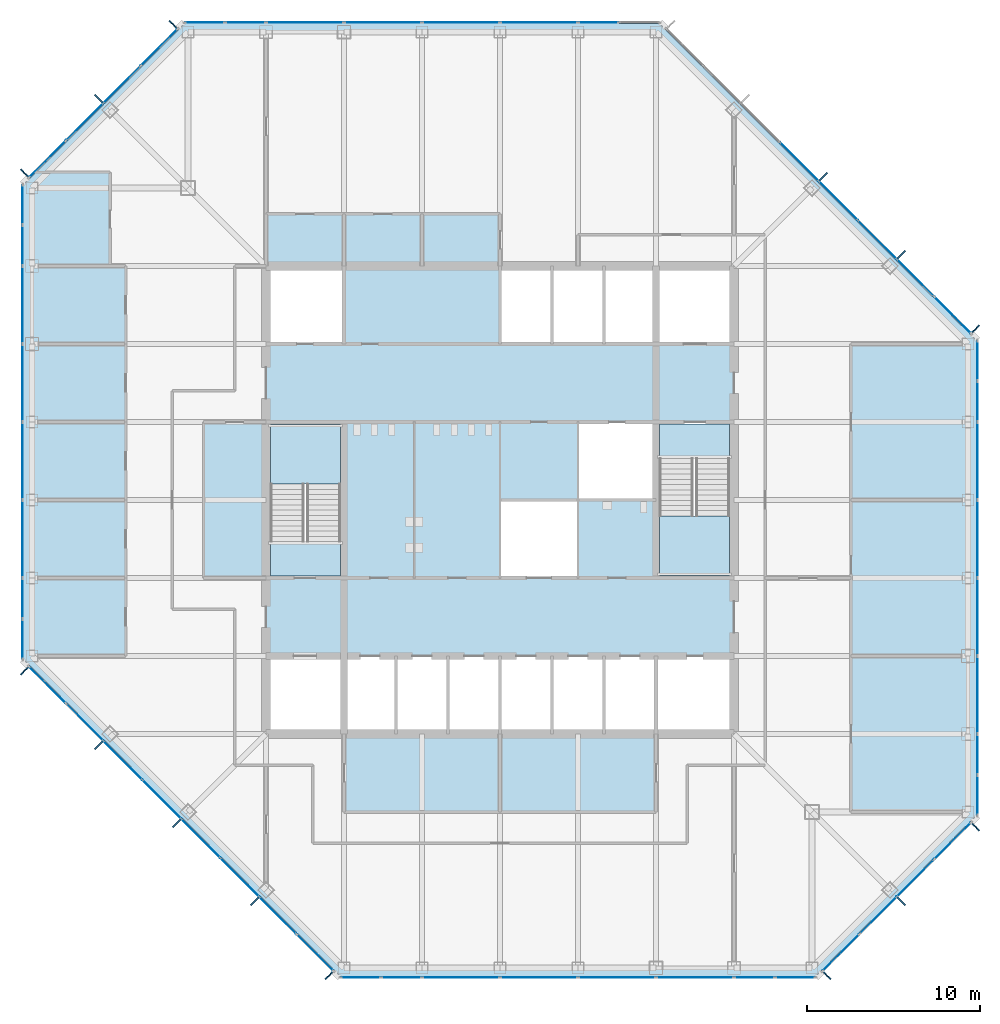
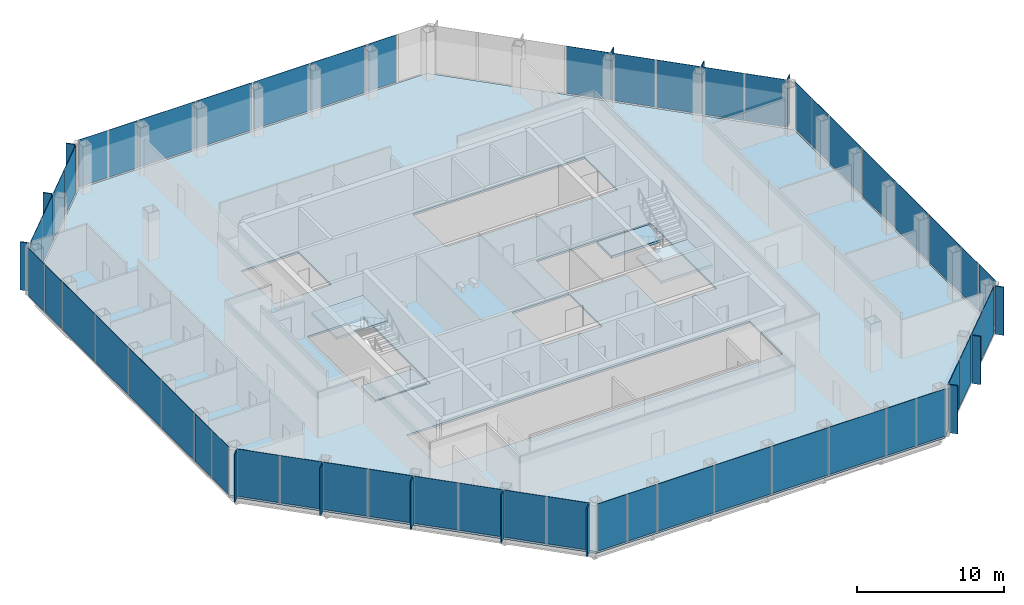
# One storey, part 7 of 13: 66 plates, 5 slabs, 10 elements without a shape of their own.
"""IFC4 building model written with IfcOpenShell, lengths in metres."""

from ifc_helpers import new_model, si_unit, direction, frame, origin, origin_2d, place, context, subcontext, project, spatial, polyline, rectangle, outline, extrude, material, layer, layer_set, type_object, element, aggregate, save


model = new_model("IFC4")

# Units and contexts
model_context = context("Model", 3, precision=1e-05, world=origin(), true_north=direction((0.0, 1.0)))
body_context = subcontext(model_context, "Body", "Model", "MODEL_VIEW")
ifc_project = project(units=[si_unit("LENGTHUNIT", "METRE"), si_unit("AREAUNIT", "SQUARE_METRE"), si_unit("VOLUMEUNIT", "CUBIC_METRE"), si_unit("PLANEANGLEUNIT", "RADIAN"), si_unit("MASSUNIT", "GRAM", prefix="KILO")], contexts=[model_context])

# Site, building, storey
site_placement = place(None, origin())
site = spatial("IfcSite", under=ifc_project, at=site_placement, CompositionType="ELEMENT")
building_placement = place(site_placement, origin())
building = spatial("IfcBuilding", under=site, at=building_placement, Name="Corais Broadcast Tower", CompositionType="ELEMENT")
storey_placement = place(building_placement, frame((0.0, 0.0, 155.60009765625)))
storey = spatial("IfcBuildingStorey", under=building, at=storey_placement, Name="L35", CompositionType="ELEMENT", Elevation=155.60009765625)

# Slab
ifc_material_1 = material(Name="Concrete C30/37", Category="concrete")
ifc_layer_1 = layer(ifc_material_1, 0.159912109375)
ifc_layer_set_1 = layer_set([ifc_layer_1], Name="Concrete C30/37")
slab_type_1 = type_object("IfcSlabType", Name="Composite floor slab 160", PredefinedType="FLOOR", material=ifc_layer_set_1)
slab_1_placement = place(storey_placement, frame((0.0, 0.0, -0.16015625)))
element("IfcSlab", 1, at=slab_1_placement, inside=storey, type_object=slab_type_1, Name="S160 floor slab L35", PredefinedType="FLOOR", context=body_context, shape_type="SweptSolid", body=[
    extrude(outline(polyline([(17.80126953125, -0.47998046875), (-0.47998046875, 17.80126953125), (-0.47998046875, 45.19873046875), (8.80126953125, 54.47998046875), (36.19873046875, 54.47998046875), (54.47998046875, 36.19873046875), (54.47998046875, 8.80126953125), (45.19873046875, -0.47998046875), (17.80126953125, -0.47998046875)]), holes=[polyline([(13.5, 18.0), (40.5, 18.0), (40.5, 13.5), (13.5, 13.5), (13.5, 18.0)]), polyline([(18.0, 22.5), (13.5, 22.5), (13.5, 31.5), (18.0, 31.5), (18.0, 22.5)]), polyline([(18.0, 36.0), (13.5, 36.0), (13.5, 40.5), (18.0, 40.5), (18.0, 36.0)]), polyline([(31.5, 22.5), (27.0, 22.5), (27.0, 27.0), (31.4951171875, 27.0), (31.4951171875, 27.0048828125), (31.5, 27.0048828125), (31.5, 31.5), (40.5, 31.5), (40.5, 22.5), (36.0, 22.5), (36.0, 27.0), (31.5048828125, 27.0), (31.5048828125, 26.9951171875), (31.5, 26.9951171875), (31.5, 22.5)]), polyline([(27.0, 40.5), (40.5, 40.5), (40.5, 36.0), (27.0, 36.0), (27.0, 40.5)])]), origin(), (0.0, 0.0, 1.0), 0.16015625),
])

# Curtain wall, plates
ifc_material_2 = material(Name="Aluminium and glass", Category="aluminium")
curtain_wall_type = type_object("IfcCurtainWallType", Name="Unitised fritted curtain wall CW2", PredefinedType="NOTDEFINED", material=ifc_material_2)
curtain_wall_1_placement = place(storey_placement, origin())
curtain_wall_1 = element("IfcCurtainWall", 2, at=curtain_wall_1_placement, inside=storey, type_object=curtain_wall_type, Name="CW2 curtain wall L35 1", PredefinedType="NOTDEFINED")
ifc_material_3 = material(Name="Ceramic-fritted laminated glass", Category="glass")
ifc_layer_2 = layer(ifc_material_3, 0.028076171875)
ifc_layer_set_2 = layer_set([ifc_layer_2], Name="Ceramic-fritted laminated glass")
plate_type_1 = type_object("IfcPlateType", Name="Fritted glass panel CW2", PredefinedType="CURTAIN_PANEL", material=ifc_layer_set_2)
plate_1_placement = place(storey_placement, frame((16.330322265625, 0.891845703125, 0.06494140625), z_axis=(0.0, 0.0, 1.0), x_axis=(-0.707106781187, 0.707106781187, 0.0)))
plate_1 = element("IfcPlate", 3, at=plate_1_placement, type_object=plate_type_1, Name="CW2 panel 1", PredefinedType="CURTAIN_PANEL", context=body_context, shape_type="SweptSolid", body=[
    extrude(rectangle(XDim=2.9482421875, YDim=0.028076171875, at=origin_2d()), origin(), (0.0, 0.0, 1.0), 3.93505859375),
])
plate_2_placement = place(storey_placement, frame((11.986083984375, 5.236083984375, 0.06494140625), z_axis=(0.0, 0.0, 1.0), x_axis=(-0.707106781187, 0.707106781187, 0.0)))
plate_2 = element("IfcPlate", 4, at=plate_2_placement, type_object=plate_type_1, Name="CW2 panel 3", PredefinedType="CURTAIN_PANEL", context=body_context, shape_type="SweptSolid", body=[
    extrude(rectangle(XDim=3.116943359375, YDim=0.028076171875, at=origin_2d()), origin(), (0.0, 0.0, 1.0), 3.93505859375),
])
plate_3_placement = place(storey_placement, frame((7.486083984375, 9.736083984375, 0.06494140625), z_axis=(0.0, 0.0, 1.0), x_axis=(-0.707106781187, 0.707106781187, 0.0)))
plate_3 = element("IfcPlate", 5, at=plate_3_placement, type_object=plate_type_1, Name="CW2 panel 5", PredefinedType="CURTAIN_PANEL", context=body_context, shape_type="SweptSolid", body=[
    extrude(rectangle(XDim=3.116943359375, YDim=0.028076171875, at=origin_2d()), origin(), (0.0, 0.0, 1.0), 3.93505859375),
])
plate_4_placement = place(storey_placement, frame((3.0341796875, 14.18798828125, 0.06494140625), z_axis=(0.0, 0.0, 1.0), x_axis=(-0.707106781187, 0.707106781187, 0.0)))
plate_4 = element("IfcPlate", 6, at=plate_4_placement, type_object=plate_type_1, Name="CW2 panel 7", PredefinedType="CURTAIN_PANEL", context=body_context, shape_type="SweptSolid", body=[
    extrude(rectangle(XDim=2.98095703125, YDim=0.028076171875, at=origin_2d()), origin(), (0.0, 0.0, 1.0), 3.93505859375),
])

curtain_wall_2_placement = place(storey_placement, origin())
curtain_wall_2 = element("IfcCurtainWall", 7, at=curtain_wall_2_placement, inside=storey, type_object=curtain_wall_type, Name="CW2 curtain wall L35 2", PredefinedType="NOTDEFINED")
plate_5_placement = place(storey_placement, frame((-0.550048828125, 18.970458984375, 0.06494140625), z_axis=(0.0, 0.0, 1.0), x_axis=(0.0, 1.0, 0.0)))
plate_5 = element("IfcPlate", 8, at=plate_5_placement, type_object=plate_type_1, Name="CW2 panel 1", PredefinedType="CURTAIN_PANEL", context=body_context, shape_type="SweptSolid", body=[
    extrude(rectangle(XDim=2.266357421875, YDim=0.028076171875, at=origin_2d()), origin(), (0.0, 0.0, 1.0), 3.93505859375),
])
plate_6_placement = place(storey_placement, frame((-0.550048828125, 24.75, 0.06494140625), z_axis=(0.0, 0.0, 1.0), x_axis=(0.0, 1.0, 0.0)))
plate_6 = element("IfcPlate", 9, at=plate_6_placement, type_object=plate_type_1, Name="CW2 panel 3", PredefinedType="CURTAIN_PANEL", context=body_context, shape_type="SweptSolid", body=[
    extrude(rectangle(XDim=4.43505859375, YDim=0.028076171875, at=origin_2d()), origin(), (0.0, 0.0, 1.0), 3.93505859375),
])
plate_7_placement = place(storey_placement, frame((-0.550048828125, 33.75, 0.06494140625), z_axis=(0.0, 0.0, 1.0), x_axis=(0.0, 1.0, 0.0)))
plate_7 = element("IfcPlate", 10, at=plate_7_placement, type_object=plate_type_1, Name="CW2 panel 5", PredefinedType="CURTAIN_PANEL", context=body_context, shape_type="SweptSolid", body=[
    extrude(rectangle(XDim=4.43505859375, YDim=0.028076171875, at=origin_2d()), origin(), (0.0, 0.0, 1.0), 3.93505859375),
])
plate_8_placement = place(storey_placement, frame((-0.550048828125, 41.681884765625, 0.06494140625), z_axis=(0.0, 0.0, 1.0), x_axis=(0.0, 1.0, 0.0)))
plate_8 = element("IfcPlate", 11, at=plate_8_placement, type_object=plate_type_1, Name="CW2 panel 7", PredefinedType="CURTAIN_PANEL", context=body_context, shape_type="SweptSolid", body=[
    extrude(rectangle(XDim=2.298828125, YDim=0.028076171875, at=origin_2d()), origin(), (0.0, 0.0, 1.0), 3.93505859375),
])

curtain_wall_3_placement = place(storey_placement, origin())
curtain_wall_3 = element("IfcCurtainWall", 12, at=curtain_wall_3_placement, inside=storey, type_object=curtain_wall_type, Name="CW2 curtain wall L35 3", PredefinedType="NOTDEFINED")
plate_9_placement = place(storey_placement, frame((0.891845703125, 46.669677734375, 0.06494140625), z_axis=(0.0, 0.0, 1.0), x_axis=(0.707106781187, 0.707106781187, 0.0)))
plate_9 = element("IfcPlate", 13, at=plate_9_placement, type_object=plate_type_1, Name="CW2 panel 1", PredefinedType="CURTAIN_PANEL", context=body_context, shape_type="SweptSolid", body=[
    extrude(rectangle(XDim=2.9482421875, YDim=0.028076171875, at=origin_2d()), origin(), (0.0, 0.0, 1.0), 3.93505859375),
])
plate_10_placement = place(storey_placement, frame((5.18798828125, 50.9658203125, 0.06494140625), z_axis=(0.0, 0.0, 1.0), x_axis=(0.707106781187, 0.707106781187, 0.0)))
plate_10 = element("IfcPlate", 14, at=plate_10_placement, type_object=plate_type_1, Name="CW2 panel 3", PredefinedType="CURTAIN_PANEL", context=body_context, shape_type="SweptSolid", body=[
    extrude(rectangle(XDim=2.98095703125, YDim=0.028076171875, at=origin_2d()), origin(), (0.0, 0.0, 1.0), 3.93505859375),
])

curtain_wall_4_placement = place(storey_placement, origin())
curtain_wall_4 = element("IfcCurtainWall", 15, at=curtain_wall_4_placement, inside=storey, type_object=curtain_wall_type, Name="CW2 curtain wall L35 4", PredefinedType="NOTDEFINED")
plate_11_placement = place(storey_placement, frame((9.970458984375, 54.550048828125, 0.06494140625), z_axis=(0.0, 0.0, 1.0), x_axis=(1.0, 0.0, 0.0)))
plate_11 = element("IfcPlate", 16, at=plate_11_placement, type_object=plate_type_1, Name="CW2 panel 1", PredefinedType="CURTAIN_PANEL", context=body_context, shape_type="SweptSolid", body=[
    extrude(rectangle(XDim=2.266357421875, YDim=0.028076171875, at=origin_2d()), origin(), (0.0, 0.0, 1.0), 3.93505859375),
])
plate_12_placement = place(storey_placement, frame((15.75, 54.550048828125, 0.06494140625), z_axis=(0.0, 0.0, 1.0), x_axis=(1.0, 0.0, 0.0)))
plate_12 = element("IfcPlate", 17, at=plate_12_placement, type_object=plate_type_1, Name="CW2 panel 3", PredefinedType="CURTAIN_PANEL", context=body_context, shape_type="SweptSolid", body=[
    extrude(rectangle(XDim=4.43505859375, YDim=0.028076171875, at=origin_2d()), origin(), (0.0, 0.0, 1.0), 3.93505859375),
])
plate_13_placement = place(storey_placement, frame((24.75, 54.550048828125, 0.06494140625), z_axis=(0.0, 0.0, 1.0), x_axis=(1.0, 0.0, 0.0)))
plate_13 = element("IfcPlate", 18, at=plate_13_placement, type_object=plate_type_1, Name="CW2 panel 5", PredefinedType="CURTAIN_PANEL", context=body_context, shape_type="SweptSolid", body=[
    extrude(rectangle(XDim=4.43505859375, YDim=0.028076171875, at=origin_2d()), origin(), (0.0, 0.0, 1.0), 3.93505859375),
])
plate_14_placement = place(storey_placement, frame((32.681884765625, 54.550048828125, 0.06494140625), z_axis=(0.0, 0.0, 1.0), x_axis=(1.0, 0.0, 0.0)))
plate_14 = element("IfcPlate", 19, at=plate_14_placement, type_object=plate_type_1, Name="CW2 panel 7", PredefinedType="CURTAIN_PANEL", context=body_context, shape_type="SweptSolid", body=[
    extrude(rectangle(XDim=2.298828125, YDim=0.028076171875, at=origin_2d()), origin(), (0.0, 0.0, 1.0), 3.93505859375),
])

curtain_wall_5_placement = place(storey_placement, origin())
curtain_wall_5 = element("IfcCurtainWall", 20, at=curtain_wall_5_placement, inside=storey, type_object=curtain_wall_type, Name="CW2 curtain wall L35 5", PredefinedType="NOTDEFINED")
plate_15_placement = place(storey_placement, frame((46.513916015625, 44.263916015625, 0.06494140625), z_axis=(0.0, 0.0, 1.0), x_axis=(0.707106781187, -0.707106781187, 0.0)))
plate_15 = element("IfcPlate", 21, at=plate_15_placement, type_object=plate_type_1, Name="CW2 panel 5", PredefinedType="CURTAIN_PANEL", context=body_context, shape_type="SweptSolid", body=[
    extrude(rectangle(XDim=3.116943359375, YDim=0.028076171875, at=origin_2d()), origin(), (0.0, 0.0, 1.0), 3.93505859375),
])
plate_16_placement = place(storey_placement, frame((50.9658203125, 39.81201171875, 0.06494140625), z_axis=(0.0, 0.0, 1.0), x_axis=(0.707106781187, -0.707106781187, 0.0)))
plate_16 = element("IfcPlate", 22, at=plate_16_placement, type_object=plate_type_1, Name="CW2 panel 7", PredefinedType="CURTAIN_PANEL", context=body_context, shape_type="SweptSolid", body=[
    extrude(rectangle(XDim=2.98095703125, YDim=0.028076171875, at=origin_2d()), origin(), (0.0, 0.0, 1.0), 3.93505859375),
])

curtain_wall_6_placement = place(storey_placement, origin())
curtain_wall_6 = element("IfcCurtainWall", 23, at=curtain_wall_6_placement, inside=storey, type_object=curtain_wall_type, Name="CW2 curtain wall L35 6", PredefinedType="NOTDEFINED")
plate_17_placement = place(storey_placement, frame((54.550048828125, 35.029541015625, 0.06494140625), z_axis=(0.0, 0.0, 1.0), x_axis=(0.0, -1.0, 0.0)))
plate_17 = element("IfcPlate", 24, at=plate_17_placement, type_object=plate_type_1, Name="CW2 panel 1", PredefinedType="CURTAIN_PANEL", context=body_context, shape_type="SweptSolid", body=[
    extrude(rectangle(XDim=2.266357421875, YDim=0.028076171875, at=origin_2d()), origin(), (0.0, 0.0, 1.0), 3.93505859375),
])
plate_18_placement = place(storey_placement, frame((54.550048828125, 29.25, 0.06494140625), z_axis=(0.0, 0.0, 1.0), x_axis=(0.0, -1.0, 0.0)))
plate_18 = element("IfcPlate", 25, at=plate_18_placement, type_object=plate_type_1, Name="CW2 panel 3", PredefinedType="CURTAIN_PANEL", context=body_context, shape_type="SweptSolid", body=[
    extrude(rectangle(XDim=4.43505859375, YDim=0.028076171875, at=origin_2d()), origin(), (0.0, 0.0, 1.0), 3.93505859375),
])
plate_19_placement = place(storey_placement, frame((54.550048828125, 20.25, 0.06494140625), z_axis=(0.0, 0.0, 1.0), x_axis=(0.0, -1.0, 0.0)))
plate_19 = element("IfcPlate", 26, at=plate_19_placement, type_object=plate_type_1, Name="CW2 panel 5", PredefinedType="CURTAIN_PANEL", context=body_context, shape_type="SweptSolid", body=[
    extrude(rectangle(XDim=4.43505859375, YDim=0.028076171875, at=origin_2d()), origin(), (0.0, 0.0, 1.0), 3.93505859375),
])
plate_20_placement = place(storey_placement, frame((54.550048828125, 12.318115234375, 0.06494140625), z_axis=(0.0, 0.0, 1.0), x_axis=(0.0, -1.0, 0.0)))
plate_20 = element("IfcPlate", 27, at=plate_20_placement, type_object=plate_type_1, Name="CW2 panel 7", PredefinedType="CURTAIN_PANEL", context=body_context, shape_type="SweptSolid", body=[
    extrude(rectangle(XDim=2.298828125, YDim=0.028076171875, at=origin_2d()), origin(), (0.0, 0.0, 1.0), 3.93505859375),
])

curtain_wall_7_placement = place(storey_placement, origin())
curtain_wall_7 = element("IfcCurtainWall", 28, at=curtain_wall_7_placement, inside=storey, type_object=curtain_wall_type, Name="CW2 curtain wall L35 7", PredefinedType="NOTDEFINED")
plate_21_placement = place(storey_placement, frame((53.108154296875, 7.330322265625, 0.06494140625), z_axis=(0.0, 0.0, 1.0), x_axis=(-0.707106781187, -0.707106781187, 0.0)))
plate_21 = element("IfcPlate", 29, at=plate_21_placement, type_object=plate_type_1, Name="CW2 panel 1", PredefinedType="CURTAIN_PANEL", context=body_context, shape_type="SweptSolid", body=[
    extrude(rectangle(XDim=2.9482421875, YDim=0.028076171875, at=origin_2d()), origin(), (0.0, 0.0, 1.0), 3.93505859375),
])
plate_22_placement = place(storey_placement, frame((48.81201171875, 3.0341796875, 0.06494140625), z_axis=(0.0, 0.0, 1.0), x_axis=(-0.707106781187, -0.707106781187, 0.0)))
plate_22 = element("IfcPlate", 30, at=plate_22_placement, type_object=plate_type_1, Name="CW2 panel 3", PredefinedType="CURTAIN_PANEL", context=body_context, shape_type="SweptSolid", body=[
    extrude(rectangle(XDim=2.98095703125, YDim=0.028076171875, at=origin_2d()), origin(), (0.0, 0.0, 1.0), 3.93505859375),
])

curtain_wall_8_placement = place(storey_placement, origin())
curtain_wall_8 = element("IfcCurtainWall", 31, at=curtain_wall_8_placement, inside=storey, type_object=curtain_wall_type, Name="CW2 curtain wall L35 8", PredefinedType="NOTDEFINED")
plate_23_placement = place(storey_placement, frame((44.029541015625, -0.550048828125, 0.06494140625), z_axis=(0.0, 0.0, 1.0), x_axis=(-1.0, 0.0, 0.0)))
plate_23 = element("IfcPlate", 32, at=plate_23_placement, type_object=plate_type_1, Name="CW2 panel 1", PredefinedType="CURTAIN_PANEL", context=body_context, shape_type="SweptSolid", body=[
    extrude(rectangle(XDim=2.266357421875, YDim=0.028076171875, at=origin_2d()), origin(), (0.0, 0.0, 1.0), 3.93505859375),
])
plate_24_placement = place(storey_placement, frame((38.25, -0.550048828125, 0.06494140625), z_axis=(0.0, 0.0, 1.0), x_axis=(-1.0, 0.0, 0.0)))
plate_24 = element("IfcPlate", 33, at=plate_24_placement, type_object=plate_type_1, Name="CW2 panel 3", PredefinedType="CURTAIN_PANEL", context=body_context, shape_type="SweptSolid", body=[
    extrude(rectangle(XDim=4.43505859375, YDim=0.028076171875, at=origin_2d()), origin(), (0.0, 0.0, 1.0), 3.93505859375),
])
plate_25_placement = place(storey_placement, frame((29.25, -0.550048828125, 0.06494140625), z_axis=(0.0, 0.0, 1.0), x_axis=(-1.0, 0.0, 0.0)))
plate_25 = element("IfcPlate", 34, at=plate_25_placement, type_object=plate_type_1, Name="CW2 panel 5", PredefinedType="CURTAIN_PANEL", context=body_context, shape_type="SweptSolid", body=[
    extrude(rectangle(XDim=4.43505859375, YDim=0.028076171875, at=origin_2d()), origin(), (0.0, 0.0, 1.0), 3.93505859375),
])
plate_26_placement = place(storey_placement, frame((21.318115234375, -0.550048828125, 0.06494140625), z_axis=(0.0, 0.0, 1.0), x_axis=(-1.0, 0.0, 0.0)))
plate_26 = element("IfcPlate", 35, at=plate_26_placement, type_object=plate_type_1, Name="CW2 panel 7", PredefinedType="CURTAIN_PANEL", context=body_context, shape_type="SweptSolid", body=[
    extrude(rectangle(XDim=2.298828125, YDim=0.028076171875, at=origin_2d()), origin(), (0.0, 0.0, 1.0), 3.93505859375),
])

# Plate
ifc_material_4 = material(Name="Clear laminated glass", Category="glass")
ifc_layer_3 = layer(ifc_material_4, 0.031982421875)
ifc_layer_set_3 = layer_set([ifc_layer_3], Name="Clear laminated glass")
plate_type_2 = type_object("IfcPlateType", Name="Operable glass panel CW2", PredefinedType="CURTAIN_PANEL", material=ifc_layer_set_3)
plate_27_placement = place(storey_placement, frame((14.18798828125, 3.0341796875, 0.06494140625), z_axis=(0.0, 0.0, 1.0), x_axis=(-0.707106781187, 0.707106781187, 0.0)))
plate_27 = element("IfcPlate", 36, at=plate_27_placement, type_object=plate_type_2, Name="CW2 operable panel 2", PredefinedType="CURTAIN_PANEL", context=body_context, shape_type="SweptSolid", body=[
    extrude(rectangle(XDim=2.98095703125, YDim=0.031982421875, at=origin_2d()), origin(), (0.0, 0.0, 1.0), 3.93505859375),
])

plate_28_placement = place(storey_placement, frame((9.736083984375, 7.486083984375, 0.06494140625), z_axis=(0.0, 0.0, 1.0), x_axis=(-0.707106781187, 0.707106781187, 0.0)))
plate_28 = element("IfcPlate", 37, at=plate_28_placement, type_object=plate_type_2, Name="CW2 operable panel 4", PredefinedType="CURTAIN_PANEL", context=body_context, shape_type="SweptSolid", body=[
    extrude(rectangle(XDim=3.116943359375, YDim=0.031982421875, at=origin_2d()), origin(), (0.0, 0.0, 1.0), 3.93505859375),
])

plate_29_placement = place(storey_placement, frame((5.236083984375, 11.986083984375, 0.06494140625), z_axis=(0.0, 0.0, 1.0), x_axis=(-0.707106781187, 0.707106781187, 0.0)))
plate_29 = element("IfcPlate", 38, at=plate_29_placement, type_object=plate_type_2, Name="CW2 operable panel 6", PredefinedType="CURTAIN_PANEL", context=body_context, shape_type="SweptSolid", body=[
    extrude(rectangle(XDim=3.116943359375, YDim=0.031982421875, at=origin_2d()), origin(), (0.0, 0.0, 1.0), 3.93505859375),
])

plate_30_placement = place(storey_placement, frame((0.89208984375, 16.330322265625, 0.06494140625), z_axis=(0.0, 0.0, 1.0), x_axis=(-0.707106781187, 0.707106781187, 0.0)))
plate_30 = element("IfcPlate", 39, at=plate_30_placement, type_object=plate_type_2, Name="CW2 operable panel 8", PredefinedType="CURTAIN_PANEL", context=body_context, shape_type="SweptSolid", body=[
    extrude(rectangle(XDim=2.948486328125, YDim=0.031982421875, at=origin_2d()), origin(), (0.0, 0.0, 1.0), 3.93505859375),
])

aggregate(curtain_wall_1, [plate_1, plate_27, plate_2, plate_28, plate_3, plate_29, plate_4, plate_30])

plate_31_placement = place(storey_placement, frame((-0.550048828125, 21.318115234375, 0.06494140625), z_axis=(0.0, 0.0, 1.0), x_axis=(0.0, 1.0, 0.0)))
plate_31 = element("IfcPlate", 40, at=plate_31_placement, type_object=plate_type_2, Name="CW2 operable panel 2", PredefinedType="CURTAIN_PANEL", context=body_context, shape_type="SweptSolid", body=[
    extrude(rectangle(XDim=2.298828125, YDim=0.031982421875, at=origin_2d()), origin(), (0.0, 0.0, 1.0), 3.93505859375),
])

plate_32_placement = place(storey_placement, frame((-0.550048828125, 29.25, 0.06494140625), z_axis=(0.0, 0.0, 1.0), x_axis=(0.0, 1.0, 0.0)))
plate_32 = element("IfcPlate", 41, at=plate_32_placement, type_object=plate_type_2, Name="CW2 operable panel 4", PredefinedType="CURTAIN_PANEL", context=body_context, shape_type="SweptSolid", body=[
    extrude(rectangle(XDim=4.43505859375, YDim=0.031982421875, at=origin_2d()), origin(), (0.0, 0.0, 1.0), 3.93505859375),
])

plate_33_placement = place(storey_placement, frame((-0.550048828125, 38.25, 0.06494140625), z_axis=(0.0, 0.0, 1.0), x_axis=(0.0, 1.0, 0.0)))
plate_33 = element("IfcPlate", 42, at=plate_33_placement, type_object=plate_type_2, Name="CW2 operable panel 6", PredefinedType="CURTAIN_PANEL", context=body_context, shape_type="SweptSolid", body=[
    extrude(rectangle(XDim=4.43505859375, YDim=0.031982421875, at=origin_2d()), origin(), (0.0, 0.0, 1.0), 3.93505859375),
])

plate_34_placement = place(storey_placement, frame((-0.550048828125, 44.029541015625, 0.06494140625), z_axis=(0.0, 0.0, 1.0), x_axis=(0.0, 1.0, 0.0)))
plate_34 = element("IfcPlate", 43, at=plate_34_placement, type_object=plate_type_2, Name="CW2 operable panel 8", PredefinedType="CURTAIN_PANEL", context=body_context, shape_type="SweptSolid", body=[
    extrude(rectangle(XDim=2.266357421875, YDim=0.031982421875, at=origin_2d()), origin(), (0.0, 0.0, 1.0), 3.93505859375),
])

aggregate(curtain_wall_2, [plate_5, plate_31, plate_6, plate_32, plate_7, plate_33, plate_8, plate_34])

plate_35_placement = place(storey_placement, frame((3.0341796875, 48.81201171875, 0.06494140625), z_axis=(0.0, 0.0, 1.0), x_axis=(0.707106781187, 0.707106781187, 0.0)))
plate_35 = element("IfcPlate", 44, at=plate_35_placement, type_object=plate_type_2, Name="CW2 operable panel 2", PredefinedType="CURTAIN_PANEL", context=body_context, shape_type="SweptSolid", body=[
    extrude(rectangle(XDim=2.98095703125, YDim=0.031982421875, at=origin_2d()), origin(), (0.0, 0.0, 1.0), 3.93505859375),
])

plate_36_placement = place(storey_placement, frame((7.330322265625, 53.10791015625, 0.06494140625), z_axis=(0.0, 0.0, 1.0), x_axis=(0.707106781187, 0.707106781187, 0.0)))
plate_36 = element("IfcPlate", 45, at=plate_36_placement, type_object=plate_type_2, Name="CW2 operable panel 4", PredefinedType="CURTAIN_PANEL", context=body_context, shape_type="SweptSolid", body=[
    extrude(rectangle(XDim=2.948486328125, YDim=0.031982421875, at=origin_2d()), origin(), (0.0, 0.0, 1.0), 3.93505859375),
])

aggregate(curtain_wall_3, [plate_9, plate_35, plate_10, plate_36])

plate_37_placement = place(storey_placement, frame((12.318115234375, 54.550048828125, 0.06494140625), z_axis=(0.0, 0.0, 1.0), x_axis=(1.0, 0.0, 0.0)))
plate_37 = element("IfcPlate", 46, at=plate_37_placement, type_object=plate_type_2, Name="CW2 operable panel 2", PredefinedType="CURTAIN_PANEL", context=body_context, shape_type="SweptSolid", body=[
    extrude(rectangle(XDim=2.298828125, YDim=0.031982421875, at=origin_2d()), origin(), (0.0, 0.0, 1.0), 3.93505859375),
])

plate_38_placement = place(storey_placement, frame((20.25, 54.550048828125, 0.06494140625), z_axis=(0.0, 0.0, 1.0), x_axis=(1.0, 0.0, 0.0)))
plate_38 = element("IfcPlate", 47, at=plate_38_placement, type_object=plate_type_2, Name="CW2 operable panel 4", PredefinedType="CURTAIN_PANEL", context=body_context, shape_type="SweptSolid", body=[
    extrude(rectangle(XDim=4.43505859375, YDim=0.031982421875, at=origin_2d()), origin(), (0.0, 0.0, 1.0), 3.93505859375),
])

plate_39_placement = place(storey_placement, frame((29.25, 54.550048828125, 0.06494140625), z_axis=(0.0, 0.0, 1.0), x_axis=(1.0, 0.0, 0.0)))
plate_39 = element("IfcPlate", 48, at=plate_39_placement, type_object=plate_type_2, Name="CW2 operable panel 6", PredefinedType="CURTAIN_PANEL", context=body_context, shape_type="SweptSolid", body=[
    extrude(rectangle(XDim=4.43505859375, YDim=0.031982421875, at=origin_2d()), origin(), (0.0, 0.0, 1.0), 3.93505859375),
])

aggregate(curtain_wall_4, [plate_11, plate_37, plate_12, plate_38, plate_13, plate_39, plate_14])

plate_40_placement = place(storey_placement, frame((44.263916015625, 46.513916015625, 0.06494140625), z_axis=(0.0, 0.0, 1.0), x_axis=(0.707106781187, -0.707106781187, 0.0)))
plate_40 = element("IfcPlate", 49, at=plate_40_placement, type_object=plate_type_2, Name="CW2 operable panel 4", PredefinedType="CURTAIN_PANEL", context=body_context, shape_type="SweptSolid", body=[
    extrude(rectangle(XDim=3.116943359375, YDim=0.031982421875, at=origin_2d()), origin(), (0.0, 0.0, 1.0), 3.93505859375),
])

plate_41_placement = place(storey_placement, frame((48.763916015625, 42.013916015625, 0.06494140625), z_axis=(0.0, 0.0, 1.0), x_axis=(0.707106781187, -0.707106781187, 0.0)))
plate_41 = element("IfcPlate", 50, at=plate_41_placement, type_object=plate_type_2, Name="CW2 operable panel 6", PredefinedType="CURTAIN_PANEL", context=body_context, shape_type="SweptSolid", body=[
    extrude(rectangle(XDim=3.116943359375, YDim=0.031982421875, at=origin_2d()), origin(), (0.0, 0.0, 1.0), 3.93505859375),
])

plate_42_placement = place(storey_placement, frame((53.10791015625, 37.669677734375, 0.06494140625), z_axis=(0.0, 0.0, 1.0), x_axis=(0.707106781187, -0.707106781187, 0.0)))
plate_42 = element("IfcPlate", 51, at=plate_42_placement, type_object=plate_type_2, Name="CW2 operable panel 8", PredefinedType="CURTAIN_PANEL", context=body_context, shape_type="SweptSolid", body=[
    extrude(rectangle(XDim=2.948486328125, YDim=0.031982421875, at=origin_2d()), origin(), (0.0, 0.0, 1.0), 3.93505859375),
])

aggregate(curtain_wall_5, [plate_40, plate_15, plate_41, plate_16, plate_42])

plate_43_placement = place(storey_placement, frame((54.550048828125, 32.681884765625, 0.06494140625), z_axis=(0.0, 0.0, 1.0), x_axis=(0.0, -1.0, 0.0)))
plate_43 = element("IfcPlate", 52, at=plate_43_placement, type_object=plate_type_2, Name="CW2 operable panel 2", PredefinedType="CURTAIN_PANEL", context=body_context, shape_type="SweptSolid", body=[
    extrude(rectangle(XDim=2.298828125, YDim=0.031982421875, at=origin_2d()), origin(), (0.0, 0.0, 1.0), 3.93505859375),
])

plate_44_placement = place(storey_placement, frame((54.550048828125, 24.75, 0.06494140625), z_axis=(0.0, 0.0, 1.0), x_axis=(0.0, -1.0, 0.0)))
plate_44 = element("IfcPlate", 53, at=plate_44_placement, type_object=plate_type_2, Name="CW2 operable panel 4", PredefinedType="CURTAIN_PANEL", context=body_context, shape_type="SweptSolid", body=[
    extrude(rectangle(XDim=4.43505859375, YDim=0.031982421875, at=origin_2d()), origin(), (0.0, 0.0, 1.0), 3.93505859375),
])

plate_45_placement = place(storey_placement, frame((54.550048828125, 15.75, 0.06494140625), z_axis=(0.0, 0.0, 1.0), x_axis=(0.0, -1.0, 0.0)))
plate_45 = element("IfcPlate", 54, at=plate_45_placement, type_object=plate_type_2, Name="CW2 operable panel 6", PredefinedType="CURTAIN_PANEL", context=body_context, shape_type="SweptSolid", body=[
    extrude(rectangle(XDim=4.43505859375, YDim=0.031982421875, at=origin_2d()), origin(), (0.0, 0.0, 1.0), 3.93505859375),
])

plate_46_placement = place(storey_placement, frame((54.550048828125, 9.970458984375, 0.06494140625), z_axis=(0.0, 0.0, 1.0), x_axis=(0.0, -1.0, 0.0)))
plate_46 = element("IfcPlate", 55, at=plate_46_placement, type_object=plate_type_2, Name="CW2 operable panel 8", PredefinedType="CURTAIN_PANEL", context=body_context, shape_type="SweptSolid", body=[
    extrude(rectangle(XDim=2.266357421875, YDim=0.031982421875, at=origin_2d()), origin(), (0.0, 0.0, 1.0), 3.93505859375),
])

aggregate(curtain_wall_6, [plate_17, plate_43, plate_18, plate_44, plate_19, plate_45, plate_20, plate_46])

plate_47_placement = place(storey_placement, frame((50.9658203125, 5.18798828125, 0.06494140625), z_axis=(0.0, 0.0, 1.0), x_axis=(-0.707106781187, -0.707106781187, 0.0)))
plate_47 = element("IfcPlate", 56, at=plate_47_placement, type_object=plate_type_2, Name="CW2 operable panel 2", PredefinedType="CURTAIN_PANEL", context=body_context, shape_type="SweptSolid", body=[
    extrude(rectangle(XDim=2.98095703125, YDim=0.031982421875, at=origin_2d()), origin(), (0.0, 0.0, 1.0), 3.93505859375),
])

plate_48_placement = place(storey_placement, frame((46.669677734375, 0.89208984375, 0.06494140625), z_axis=(0.0, 0.0, 1.0), x_axis=(-0.707106781187, -0.707106781187, 0.0)))
plate_48 = element("IfcPlate", 57, at=plate_48_placement, type_object=plate_type_2, Name="CW2 operable panel 4", PredefinedType="CURTAIN_PANEL", context=body_context, shape_type="SweptSolid", body=[
    extrude(rectangle(XDim=2.948486328125, YDim=0.031982421875, at=origin_2d()), origin(), (0.0, 0.0, 1.0), 3.93505859375),
])

aggregate(curtain_wall_7, [plate_21, plate_47, plate_22, plate_48])

plate_49_placement = place(storey_placement, frame((41.681884765625, -0.550048828125, 0.06494140625), z_axis=(0.0, 0.0, 1.0), x_axis=(-1.0, 0.0, 0.0)))
plate_49 = element("IfcPlate", 58, at=plate_49_placement, type_object=plate_type_2, Name="CW2 operable panel 2", PredefinedType="CURTAIN_PANEL", context=body_context, shape_type="SweptSolid", body=[
    extrude(rectangle(XDim=2.298828125, YDim=0.031982421875, at=origin_2d()), origin(), (0.0, 0.0, 1.0), 3.93505859375),
])

plate_50_placement = place(storey_placement, frame((33.75, -0.550048828125, 0.06494140625), z_axis=(0.0, 0.0, 1.0), x_axis=(-1.0, 0.0, 0.0)))
plate_50 = element("IfcPlate", 59, at=plate_50_placement, type_object=plate_type_2, Name="CW2 operable panel 4", PredefinedType="CURTAIN_PANEL", context=body_context, shape_type="SweptSolid", body=[
    extrude(rectangle(XDim=4.43505859375, YDim=0.031982421875, at=origin_2d()), origin(), (0.0, 0.0, 1.0), 3.93505859375),
])

plate_51_placement = place(storey_placement, frame((24.75, -0.550048828125, 0.06494140625), z_axis=(0.0, 0.0, 1.0), x_axis=(-1.0, 0.0, 0.0)))
plate_51 = element("IfcPlate", 60, at=plate_51_placement, type_object=plate_type_2, Name="CW2 operable panel 6", PredefinedType="CURTAIN_PANEL", context=body_context, shape_type="SweptSolid", body=[
    extrude(rectangle(XDim=4.43505859375, YDim=0.031982421875, at=origin_2d()), origin(), (0.0, 0.0, 1.0), 3.93505859375),
])

plate_52_placement = place(storey_placement, frame((18.970458984375, -0.550048828125, 0.06494140625), z_axis=(0.0, 0.0, 1.0), x_axis=(-1.0, 0.0, 0.0)))
plate_52 = element("IfcPlate", 61, at=plate_52_placement, type_object=plate_type_2, Name="CW2 operable panel 8", PredefinedType="CURTAIN_PANEL", context=body_context, shape_type="SweptSolid", body=[
    extrude(rectangle(XDim=2.266357421875, YDim=0.031982421875, at=origin_2d()), origin(), (0.0, 0.0, 1.0), 3.93505859375),
])

aggregate(curtain_wall_8, [plate_23, plate_49, plate_24, plate_50, plate_25, plate_51, plate_26, plate_52])

# Stair, slabs
ifc_material_5 = material(Name="Concrete C30/37", Category="concrete")
stair_type = type_object("IfcStairType", Name="Half-turn stair 4000", PredefinedType="HALF_TURN_STAIR", material=ifc_material_5)
stair_1_placement = place(storey_placement, origin())
stair_1 = element("IfcStair", 62, at=stair_1_placement, inside=storey, type_object=stair_type, Name="Stair A L35", PredefinedType="HALF_TURN_STAIR")
ifc_material_6 = material(Name="Concrete C30/37", Category="concrete")
ifc_layer_4 = layer(ifc_material_6, 0.199951171875)
ifc_layer_set_4 = layer_set([ifc_layer_4], Name="Concrete C30/37")
slab_type_2 = type_object("IfcSlabType", Name="Stair landing 200", PredefinedType="LANDING", material=ifc_layer_set_4)
slab_2_placement = place(storey_placement, frame((0.0, 0.0, -0.2001953125)))
slab_2 = element("IfcSlab", 63, at=slab_2_placement, type_object=slab_type_2, Name="STA landing 1", PredefinedType="LANDING", context=body_context, shape_type="SweptSolid", body=[
    extrude(outline(polyline([(13.75, 22.625), (17.800048828125, 22.625), (17.800048828125, 24.60009765625), (13.75, 24.60009765625), (13.75, 22.625)])), origin(), (0.0, 0.0, 1.0), 0.2001953125),
])
slab_3_placement = place(storey_placement, frame((0.0, 0.0, 1.7998046875)))
slab_3 = element("IfcSlab", 64, at=slab_3_placement, type_object=slab_type_2, Name="STA landing 2", PredefinedType="LANDING", context=body_context, shape_type="SweptSolid", body=[
    extrude(outline(polyline([(13.75, 27.922119140625), (17.800048828125, 27.922119140625), (17.800048828125, 31.375), (13.75, 31.375), (13.75, 27.922119140625)])), origin(), (0.0, 0.0, 1.0), 0.2001953125),
])
aggregate(stair_1, [slab_2, slab_3])

stair_2_placement = place(storey_placement, origin())
stair_2 = element("IfcStair", 65, at=stair_2_placement, inside=storey, type_object=stair_type, Name="Stair B L35", PredefinedType="HALF_TURN_STAIR")
slab_4_placement = place(storey_placement, frame((0.0, 0.0, -0.2001953125)))
slab_4 = element("IfcSlab", 66, at=slab_4_placement, type_object=slab_type_2, Name="STB landing 1", PredefinedType="LANDING", context=body_context, shape_type="SweptSolid", body=[
    extrude(outline(polyline([(36.199951171875, 29.39990234375), (40.25, 29.39990234375), (40.25, 31.375), (36.199951171875, 31.375), (36.199951171875, 29.39990234375)])), origin(), (0.0, 0.0, 1.0), 0.2001953125),
])
slab_5_placement = place(storey_placement, frame((0.0, 0.0, 1.7998046875)))
slab_5 = element("IfcSlab", 67, at=slab_5_placement, type_object=slab_type_2, Name="STB landing 2", PredefinedType="LANDING", context=body_context, shape_type="SweptSolid", body=[
    extrude(outline(polyline([(36.199951171875, 22.625), (40.25, 22.625), (40.25, 26.077880859375), (36.199951171875, 26.077880859375), (36.199951171875, 22.625)])), origin(), (0.0, 0.0, 1.0), 0.2001953125),
])
aggregate(stair_2, [slab_4, slab_5])

# Plates
ifc_material_7 = material(Name="Granite stone cladding", Category="masonry")
ifc_layer_5 = layer(ifc_material_7, 0.080078125)
ifc_layer_set_5 = layer_set([ifc_layer_5], Name="Granite stone cladding")
plate_type_3 = type_object("IfcPlateType", Name="Stone screen fin 80x600", PredefinedType="USERDEFINED", material=ifc_layer_set_5)
for number, where, z_axis, x_axis, name in (
    (68, (17.1220703125, -0.447021484375, 0.0), (0.0, 0.0, 1.0), (-0.707106781187, 0.707106781187, 0.0), "SF1 stone screen fin L35"),
    (69, (12.83740234375, 3.83740234375, 0.0), (0.0, 0.0, 1.0), (-0.707106781187, 0.707106781187, 0.0), "SF1 stone screen fin L35"),
    (70, (8.33740234375, 8.33740234375, 0.0), (0.0, 0.0, 1.0), (-0.707106781187, 0.707106781187, 0.0), "SF1 stone screen fin L35"),
    (71, (3.83740234375, 12.83740234375, 0.0), (0.0, 0.0, 1.0), (-0.707106781187, 0.707106781187, 0.0), "SF1 stone screen fin L35"),
    (72, (-0.447021484375, 17.1220703125, 0.0), (0.0, 0.0, 1.0), (-0.707106781187, 0.707106781187, 0.0), "SF1 stone screen fin L35"),
    (73, (-0.447021484375, 45.8779296875, 0.0), (0.0, 0.0, 1.0), (0.707106781187, 0.707106781187, 0.0), "SF1 stone screen fin L35"),
    (74, (3.83740234375, 50.16259765625, 0.0), (0.0, 0.0, 1.0), (0.707106781187, 0.707106781187, 0.0), "SF1 stone screen fin L35"),
    (75, (8.1220703125, 54.447021484375, 0.0), (0.0, 0.0, 1.0), (0.707106781187, 0.707106781187, 0.0), "SF1 stone screen fin L35"),
    (76, (45.66259765625, 45.66259765625, 0.0), (0.0, 0.0, 1.0), (0.707106781187, -0.707106781187, 0.0), "SF1 stone screen fin L35"),
    (77, (50.16259765625, 41.16259765625, 0.0), (0.0, 0.0, 1.0), (0.707106781187, -0.707106781187, 0.0), "SF1 stone screen fin L35"),
    (78, (54.447021484375, 36.8779296875, 0.0), (0.0, 0.0, 1.0), (0.707106781187, -0.707106781187, 0.0), "SF1 stone screen fin L35"),
    (79, (54.447021484375, 8.1220703125, 0.0), (0.0, 0.0, 1.0), (-0.707106781187, -0.707106781187, 0.0), "SF1 stone screen fin L35"),
    (80, (50.16259765625, 3.83740234375, 0.0), (0.0, 0.0, 1.0), (-0.707106781187, -0.707106781187, 0.0), "SF1 stone screen fin L35"),
    (81, (45.8779296875, -0.447021484375, 0.0), (0.0, 0.0, 1.0), (-0.707106781187, -0.707106781187, 0.0), "SF1 stone screen fin L35"),
):
    element("IfcPlate", number, at=place(storey_placement, frame(where, z_axis=z_axis, x_axis=x_axis)), inside=storey, type_object=plate_type_3, Name=name, ObjectType="STONE SCREEN FIN", PredefinedType="USERDEFINED", context=body_context, shape_type="SweptSolid", body=[
        extrude(rectangle(XDim=0.080078125, YDim=0.60009765625, at=origin_2d()), origin(), (0.0, 0.0, 1.0), 4.0),
    ])

save(model, "model.ifc")
